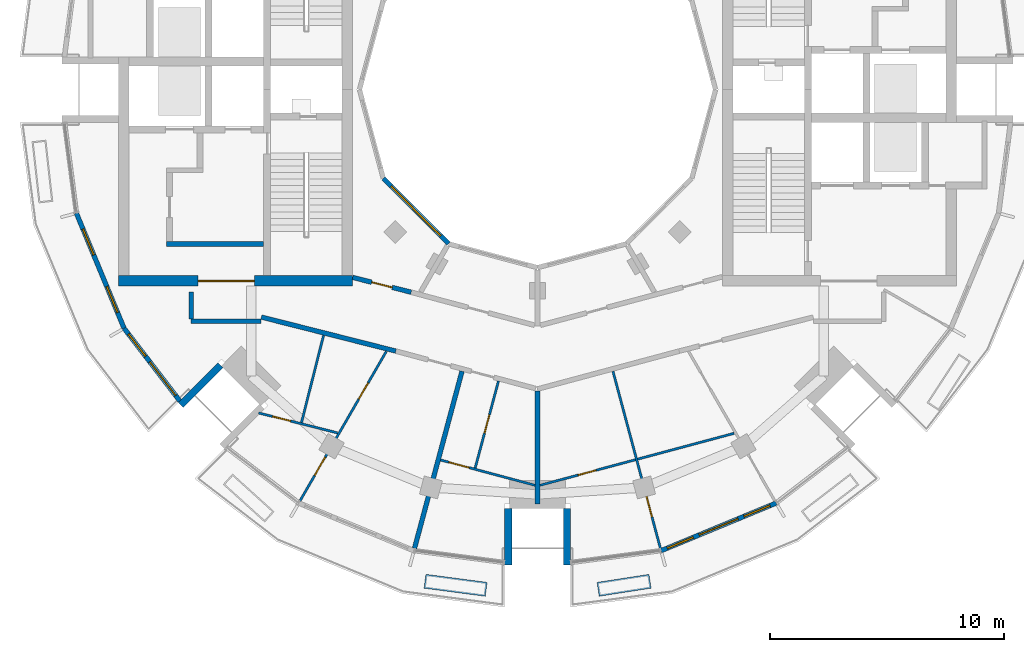
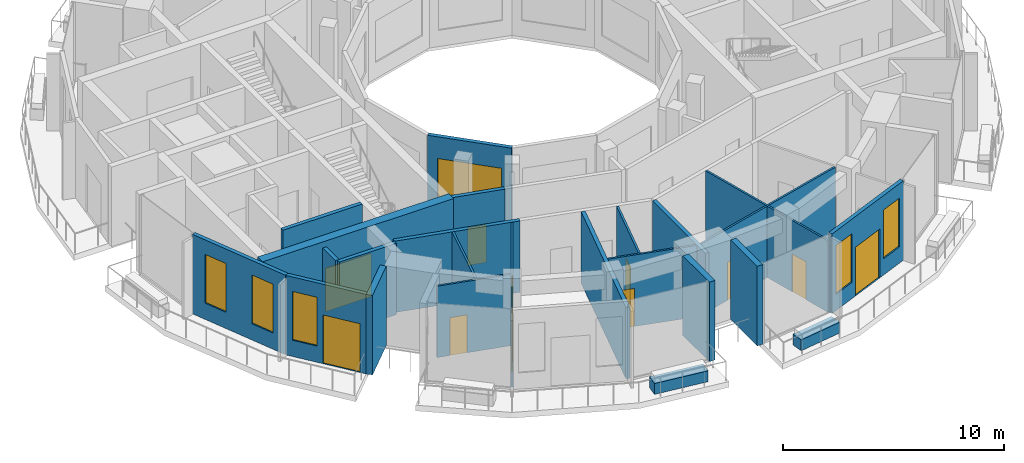
# One storey, part 7 of 15: 24 walls, 11 doors, 6 windows, 17 openings.
"""IFC4 building model written with IfcOpenShell, lengths in metres."""

from ifc_helpers import new_model, si_unit, direction, frame, frame_2d, origin, place, context, subcontext, project, spatial, rectangle, extrude, material, layer, layer_set, type_object, element, fill, save


model = new_model("IFC4")

# Units and contexts
model_context = context("Model", 3, precision=1e-05, world=origin(), true_north=direction((0.0, 1.0)))
body_context = subcontext(model_context, "Body", "Model", "MODEL_VIEW")
ifc_project = project(units=[si_unit("LENGTHUNIT", "METRE"), si_unit("AREAUNIT", "SQUARE_METRE"), si_unit("VOLUMEUNIT", "CUBIC_METRE"), si_unit("PLANEANGLEUNIT", "RADIAN"), si_unit("MASSUNIT", "GRAM", prefix="KILO")], contexts=[model_context])

# Site, building, storey
site_placement = place(None, origin())
site = spatial("IfcSite", under=ifc_project, at=site_placement, CompositionType="ELEMENT")
building_placement = place(site_placement, origin())
building = spatial("IfcBuilding", under=site, at=building_placement, Name="Torre Brocal", CompositionType="ELEMENT")
storey_placement = place(building_placement, frame((0.0, 0.0, 314.89990234375)))
storey = spatial("IfcBuildingStorey", under=building, at=storey_placement, Name="L72", CompositionType="ELEMENT", Elevation=314.89990234375)

# Wall
ifc_material_1 = material(Name="Concrete C50", Category="concrete")
ifc_layer_1 = layer(ifc_material_1, 0.199951171875)
ifc_layer_set_1 = layer_set([ifc_layer_1], Name="Concrete C50")
wall_type_1 = type_object("IfcWallType", Name="CORE WALL 200 C50", PredefinedType="SHEAR", material=ifc_layer_set_1)
wall_1_placement = place(storey_placement, frame((68.300048828125, 68.39990234375, 0.0), z_axis=(0.0, 0.0, 1.0), x_axis=(-1.0, 0.0, 0.0)))
element("IfcWall", 1, at=wall_1_placement, inside=storey, type_object=wall_type_1, Name="Wall CW200-50", PredefinedType="SHEAR", context=body_context, shape_type="SweptSolid", body=[
    extrude(rectangle(XDim=4.150146484375, YDim=0.199951171875, at=frame_2d((2.0751953125, 0.0))), origin(), (0.0, 0.0, 1.0), 4.080078125),
])

# Wall, opening, door
ifc_material_2 = material(Name="Concrete C50", Category="concrete")
ifc_layer_2 = layer(ifc_material_2, 0.449951171875)
ifc_layer_set_2 = layer_set([ifc_layer_2], Name="Concrete C50")
wall_type_2 = type_object("IfcWallType", Name="CORE WALL 450 C50", PredefinedType="SHEAR", material=ifc_layer_set_2)
wall_2_placement = place(storey_placement, frame((72.10009765625, 66.824951171875, 0.0), z_axis=(0.0, 0.0, 1.0), x_axis=(-1.0, 0.0, 0.0)))
wall_2 = element("IfcWall", 2, at=wall_2_placement, inside=storey, type_object=wall_type_2, Name="Wall CW450-50", PredefinedType="SHEAR", context=body_context, shape_type="SweptSolid", body=[
    extrude(rectangle(XDim=10.0, YDim=0.449951171875, at=frame_2d((5.0, 0.0))), origin(), (0.0, 0.0, 1.0), 4.080078125),
])
opening_1_placement = place(wall_2_placement, frame((4.199951171875, 0.0, 0.0)))
opening_1 = element("IfcOpeningElement", 3, at=opening_1_placement, cuts=wall_2, Name="Opening W-D23", PredefinedType="OPENING", context=body_context, shape_type="SweptSolid", body=[
    extrude(rectangle(XDim=2.39990234375, YDim=2.39990234375, at=frame_2d((1.199951171875, 1.199951171875))), frame((0.0, 0.23486328125, 0.0), z_axis=(0.0, -1.0, 0.0), x_axis=(1.0, 0.0, 0.0)), (0.0, 0.0, 1.0), 0.469970703125),
])
ifc_material_3 = material(Name="Steel A653", Category="steel")
door_type_1 = type_object("IfcDoorType", Name="DOUBLE FIRE DOOR FD90 2400X2400", OperationType="DOUBLE_DOOR_SINGLE_SWING", PredefinedType="DOOR", material=ifc_material_3)
door_1_placement = place(opening_1_placement, frame((2.39990234375, 0.0, 0.0), z_axis=(0.0, 0.0, 1.0), x_axis=(-1.0, 0.0, 0.0)))
door_1 = element("IfcDoor", 4, at=door_1_placement, inside=storey, type_object=door_type_1, Name="Door W-D23", OperationType="DOUBLE_DOOR_SINGLE_SWING", OverallHeight=2.39990234375, OverallWidth=2.39990234375, PredefinedType="DOOR", context=body_context, shape_type="SweptSolid", body=[
    extrude(rectangle(XDim=2.39990234375, YDim=2.39990234375, at=frame_2d((1.199951171875, 1.199951171875))), frame((0.0, 0.02490234375, 0.0), z_axis=(0.0, -1.0, 0.0), x_axis=(1.0, 0.0, 0.0)), (0.0, 0.0, 1.0), 0.050048828125),
])
fill(opening_1, door_1)

# Wall, openings, windows
ifc_material_4 = material(Name="Concrete C40", Category="concrete")
ifc_layer_3 = layer(ifc_material_4, 0.199951171875)
ifc_layer_set_3 = layer_set([ifc_layer_3], Name="Concrete C40")
wall_type_3 = type_object("IfcWallType", Name="EXTERNAL WALL 200", PredefinedType="NOTDEFINED", material=ifc_layer_set_3)
wall_3_placement = place(storey_placement, frame((60.2958984375, 69.72021484375, 0.0), z_axis=(0.0, 0.0, 1.0), x_axis=(0.382690574388, -0.923876574156, 0.0)))
wall_3 = element("IfcWall", 5, at=wall_3_placement, inside=storey, type_object=wall_type_3, Name="EXTERNAL WALL", PredefinedType="NOTDEFINED", context=body_context, shape_type="SweptSolid", body=[
    extrude(rectangle(XDim=5.324951171875, YDim=0.199951171875, at=frame_2d((2.66259765625, 0.0))), origin(), (0.0, 0.0, 1.0), 4.400146484375),
])
opening_2_placement = place(wall_3_placement, frame((0.731201171875, 0.0, 0.89990234375)))
opening_2 = element("IfcOpeningElement", 6, at=opening_2_placement, cuts=wall_3, Name="Opening W9", PredefinedType="OPENING", context=body_context, shape_type="SweptSolid", body=[
    extrude(rectangle(XDim=1.199951171875, YDim=2.699951171875, at=frame_2d((0.60009765625, 1.35009765625))), frame((0.0, 0.10986328125, 0.0), z_axis=(0.0, -1.0, 0.0), x_axis=(1.0, 0.0, 0.0)), (0.0, 0.0, 1.0), 0.219970703125),
])
opening_3_placement = place(wall_3_placement, frame((3.39404296875, 0.0, 0.89990234375)))
opening_3 = element("IfcOpeningElement", 7, at=opening_3_placement, cuts=wall_3, Name="Opening W9", PredefinedType="OPENING", context=body_context, shape_type="SweptSolid", body=[
    extrude(rectangle(XDim=1.199951171875, YDim=2.699951171875, at=frame_2d((0.60009765625, 1.35009765625))), frame((0.0, 0.10986328125, 0.0), z_axis=(0.0, -1.0, 0.0), x_axis=(1.0, 0.0, 0.0)), (0.0, 0.0, 1.0), 0.219970703125),
])
ifc_material_5 = material(Name="Aluminium and glass", Category="aluminium")
window_type_1 = type_object("IfcWindowType", Name="PENTHOUSE TERRACE WINDOW 1200X2700", PartitioningType="SINGLE_PANEL", PredefinedType="WINDOW", material=ifc_material_5)
window_1_placement = place(opening_2_placement, origin())
window_1 = element("IfcWindow", 8, at=window_1_placement, inside=storey, type_object=window_type_1, Name="PENTHOUSE TERRACE WINDOW 1200X2700", OverallHeight=2.699951171875, OverallWidth=1.199951171875, PartitioningType="SINGLE_PANEL", PredefinedType="WINDOW", context=body_context, shape_type="SweptSolid", body=[
    extrude(rectangle(XDim=1.199951171875, YDim=2.699951171875, at=frame_2d((0.60009765625, 1.35009765625))), frame((0.0, 0.030029296875, 0.0), z_axis=(0.0, -1.0, 0.0), x_axis=(1.0, 0.0, 0.0)), (0.0, 0.0, 1.0), 0.06005859375),
])
fill(opening_2, window_1)
window_2_placement = place(opening_3_placement, origin())
window_2 = element("IfcWindow", 9, at=window_2_placement, inside=storey, type_object=window_type_1, Name="PENTHOUSE TERRACE WINDOW 1200X2700", OverallHeight=2.699951171875, OverallWidth=1.199951171875, PartitioningType="SINGLE_PANEL", PredefinedType="WINDOW", context=body_context, shape_type="SweptSolid", body=[
    extrude(rectangle(XDim=1.199951171875, YDim=2.699951171875, at=frame_2d((0.60009765625, 1.35009765625))), frame((0.0, 0.030029296875, 0.0), z_axis=(0.0, -1.0, 0.0), x_axis=(1.0, 0.0, 0.0)), (0.0, 0.0, 1.0), 0.06005859375),
])
fill(opening_3, window_2)

# Wall, openings, door, window
wall_4_placement = place(storey_placement, frame((62.333740234375, 64.800537109375, 0.0), z_axis=(0.0, 0.0, 1.0), x_axis=(0.608757608177, -0.793356272104, 0.0)))
wall_4 = element("IfcWall", 10, at=wall_4_placement, inside=storey, type_object=wall_type_3, Name="EXTERNAL WALL", PredefinedType="NOTDEFINED", context=body_context, shape_type="SweptSolid", body=[
    extrude(rectangle(XDim=3.913330078125, YDim=0.199951171875, at=frame_2d((1.95654296875, 0.0))), origin(), (0.0, 0.0, 1.0), 4.400146484375),
])
opening_4_placement = place(wall_4_placement, frame((0.313232421875, 0.0, 0.89990234375)))
opening_4 = element("IfcOpeningElement", 11, at=opening_4_placement, cuts=wall_4, Name="Opening W9", PredefinedType="OPENING", context=body_context, shape_type="SweptSolid", body=[
    extrude(rectangle(XDim=1.199951171875, YDim=2.699951171875, at=frame_2d((0.60009765625, 1.35009765625))), frame((0.0, 0.10986328125, 0.0), z_axis=(0.0, -1.0, 0.0), x_axis=(1.0, 0.0, 0.0)), (0.0, 0.0, 1.0), 0.219970703125),
])
opening_5_placement = place(wall_4_placement, frame((1.813232421875, 0.0, 0.0)))
opening_5 = element("IfcOpeningElement", 12, at=opening_5_placement, cuts=wall_4, Name="Opening L72-E05", PredefinedType="OPENING", context=body_context, shape_type="SweptSolid", body=[
    extrude(rectangle(XDim=1.800048828125, YDim=2.699951171875, at=frame_2d((0.89990234375, 1.35009765625))), frame((0.0, 0.10986328125, 0.0), z_axis=(0.0, -1.0, 0.0), x_axis=(1.0, 0.0, 0.0)), (0.0, 0.0, 1.0), 0.219970703125),
])
ifc_material_6 = material(Name="Aluminium and glass", Category="aluminium")
door_type_2 = type_object("IfcDoorType", Name="PENTHOUSE TERRACE DOUBLE DOOR 1800X2700", OperationType="DOUBLE_DOOR_SINGLE_SWING", PredefinedType="DOOR", material=ifc_material_6)
door_2_placement = place(opening_5_placement, frame((1.800048828125, 0.0, 0.0), z_axis=(0.0, 0.0, 1.0), x_axis=(-1.0, 0.0, 0.0)))
door_2 = element("IfcDoor", 13, at=door_2_placement, inside=storey, type_object=door_type_2, Name="DOOR L72-E05", OperationType="DOUBLE_DOOR_SINGLE_SWING", OverallHeight=2.699951171875, OverallWidth=1.800048828125, PredefinedType="DOOR", context=body_context, shape_type="SweptSolid", body=[
    extrude(rectangle(XDim=1.800048828125, YDim=2.699951171875, at=frame_2d((0.89990234375, 1.35009765625))), frame((0.0, 0.02490234375, 0.0), z_axis=(0.0, -1.0, 0.0), x_axis=(1.0, 0.0, 0.0)), (0.0, 0.0, 1.0), 0.050048828125),
])
fill(opening_5, door_2)
window_3_placement = place(opening_4_placement, origin())
window_3 = element("IfcWindow", 14, at=window_3_placement, inside=storey, type_object=window_type_1, Name="PENTHOUSE TERRACE WINDOW 1200X2700", OverallHeight=2.699951171875, OverallWidth=1.199951171875, PartitioningType="SINGLE_PANEL", PredefinedType="WINDOW", context=body_context, shape_type="SweptSolid", body=[
    extrude(rectangle(XDim=1.199951171875, YDim=2.699951171875, at=frame_2d((0.60009765625, 1.35009765625))), frame((0.0, 0.030029296875, 0.0), z_axis=(0.0, -1.0, 0.0), x_axis=(1.0, 0.0, 0.0)), (0.0, 0.0, 1.0), 0.06005859375),
])
fill(opening_4, window_3)

# Wall, openings, door, windows
wall_5_placement = place(storey_placement, frame((85.27978515625, 55.2958984375, 0.0), z_axis=(0.0, 0.0, 1.0), x_axis=(0.923876574156, 0.382690574388, 0.0)))
wall_5 = element("IfcWall", 15, at=wall_5_placement, inside=storey, type_object=wall_type_3, Name="EXTERNAL WALL", PredefinedType="NOTDEFINED", context=body_context, shape_type="SweptSolid", body=[
    extrude(rectangle(XDim=5.324951171875, YDim=0.199951171875, at=frame_2d((2.66259765625, 0.0))), origin(), (0.0, 0.0, 1.0), 4.400146484375),
])
opening_6_placement = place(wall_5_placement, frame((0.28759765625, 0.0, 0.89990234375)))
opening_6 = element("IfcOpeningElement", 16, at=opening_6_placement, cuts=wall_5, Name="Opening W9", PredefinedType="OPENING", context=body_context, shape_type="SweptSolid", body=[
    extrude(rectangle(XDim=1.199951171875, YDim=2.699951171875, at=frame_2d((0.60009765625, 1.35009765625))), frame((0.0, 0.10986328125, 0.0), z_axis=(0.0, -1.0, 0.0), x_axis=(1.0, 0.0, 0.0)), (0.0, 0.0, 1.0), 0.219970703125),
])
opening_7_placement = place(wall_5_placement, frame((1.7626953125, 0.0, 0.0)))
opening_7 = element("IfcOpeningElement", 17, at=opening_7_placement, cuts=wall_5, Name="Opening L72-E07", PredefinedType="OPENING", context=body_context, shape_type="SweptSolid", body=[
    extrude(rectangle(XDim=1.800048828125, YDim=2.699951171875, at=frame_2d((0.89990234375, 1.35009765625))), frame((0.0, 0.10986328125, 0.0), z_axis=(0.0, -1.0, 0.0), x_axis=(1.0, 0.0, 0.0)), (0.0, 0.0, 1.0), 0.219970703125),
])
opening_8_placement = place(wall_5_placement, frame((3.837646484375, 0.0, 0.89990234375)))
opening_8 = element("IfcOpeningElement", 18, at=opening_8_placement, cuts=wall_5, Name="Opening W9", PredefinedType="OPENING", context=body_context, shape_type="SweptSolid", body=[
    extrude(rectangle(XDim=1.199951171875, YDim=2.699951171875, at=frame_2d((0.60009765625, 1.35009765625))), frame((0.0, 0.10986328125, 0.0), z_axis=(0.0, -1.0, 0.0), x_axis=(1.0, 0.0, 0.0)), (0.0, 0.0, 1.0), 0.219970703125),
])
door_3_placement = place(opening_7_placement, frame((1.800048828125, 0.0, 0.0), z_axis=(0.0, 0.0, 1.0), x_axis=(-1.0, 0.0, 0.0)))
door_3 = element("IfcDoor", 19, at=door_3_placement, inside=storey, type_object=door_type_2, Name="DOOR L72-E07", OperationType="DOUBLE_DOOR_SINGLE_SWING", OverallHeight=2.699951171875, OverallWidth=1.800048828125, PredefinedType="DOOR", context=body_context, shape_type="SweptSolid", body=[
    extrude(rectangle(XDim=1.800048828125, YDim=2.699951171875, at=frame_2d((0.89990234375, 1.35009765625))), frame((0.0, 0.02490234375, 0.0), z_axis=(0.0, -1.0, 0.0), x_axis=(1.0, 0.0, 0.0)), (0.0, 0.0, 1.0), 0.050048828125),
])
fill(opening_7, door_3)
window_4_placement = place(opening_6_placement, origin())
window_4 = element("IfcWindow", 20, at=window_4_placement, inside=storey, type_object=window_type_1, Name="PENTHOUSE TERRACE WINDOW 1200X2700", OverallHeight=2.699951171875, OverallWidth=1.199951171875, PartitioningType="SINGLE_PANEL", PredefinedType="WINDOW", context=body_context, shape_type="SweptSolid", body=[
    extrude(rectangle(XDim=1.199951171875, YDim=2.699951171875, at=frame_2d((0.60009765625, 1.35009765625))), frame((0.0, 0.030029296875, 0.0), z_axis=(0.0, -1.0, 0.0), x_axis=(1.0, 0.0, 0.0)), (0.0, 0.0, 1.0), 0.06005859375),
])
fill(opening_6, window_4)
window_5_placement = place(opening_8_placement, origin())
window_5 = element("IfcWindow", 21, at=window_5_placement, inside=storey, type_object=window_type_1, Name="PENTHOUSE TERRACE WINDOW 1200X2700", OverallHeight=2.699951171875, OverallWidth=1.199951171875, PartitioningType="SINGLE_PANEL", PredefinedType="WINDOW", context=body_context, shape_type="SweptSolid", body=[
    extrude(rectangle(XDim=1.199951171875, YDim=2.699951171875, at=frame_2d((0.60009765625, 1.35009765625))), frame((0.0, 0.030029296875, 0.0), z_axis=(0.0, -1.0, 0.0), x_axis=(1.0, 0.0, 0.0)), (0.0, 0.0, 1.0), 0.06005859375),
])
fill(opening_8, window_5)

# Walls
ifc_material_7 = material(Name="Concrete C50", Category="concrete")
ifc_layer_4 = layer(ifc_material_7, 0.300048828125)
ifc_layer_set_4 = layer_set([ifc_layer_4], Name="Concrete C50")
wall_type_4 = type_object("IfcWallType", Name="NOTCH RETURN WALL 300 C50", PredefinedType="NOTDEFINED", material=ifc_layer_set_4)
for number, where, z_axis, x_axis, name in (
    (22, (66.458984375, 63.2265625, 0.0), (0.0, 0.0, 1.0), (-0.707157312274, -0.707056246487, 0.0), "NOTCH RETURN WALL"),
    (23, (78.75, 57.10009765625, 0.0), (0.0, 0.0, 1.0), (0.0, -1.0, 0.0), "NOTCH RETURN WALL"),
    (24, (81.25, 57.10009765625, 0.0), (0.0, 0.0, 1.0), (0.0, -1.0, 0.0), "NOTCH RETURN WALL"),
):
    element("IfcWall", number, at=place(storey_placement, frame(where, z_axis=z_axis, x_axis=x_axis)), inside=storey, type_object=wall_type_4, Name=name, PredefinedType="NOTDEFINED", context=body_context, shape_type="SweptSolid", body=[
        extrude(rectangle(XDim=2.415771484375, YDim=0.300048828125, at=frame_2d((1.2080078125, 0.0))), origin(), (0.0, 0.0, 1.0), 4.400146484375),
    ])

# Wall, opening, door
ifc_material_8 = material(Name="Gypsum board", Category="Gypsum")
ifc_layer_5 = layer(ifc_material_8, 0.10009765625)
ifc_layer_set_5 = layer_set([ifc_layer_5], Name="Gypsum board")
wall_type_5 = type_object("IfcWallType", Name="PARTITION 100", PredefinedType="PARTITIONING", material=ifc_layer_set_5)
wall_6_placement = place(storey_placement, frame((68.083251953125, 61.18359375, 0.0), z_axis=(0.0, 0.0, 1.0), x_axis=(0.969415105271, -0.245426880503, 0.0)))
wall_6 = element("IfcWall", 25, at=wall_6_placement, inside=storey, type_object=wall_type_5, Name="BATHROOM WALL", PredefinedType="PARTITIONING", context=body_context, shape_type="SweptSolid", body=[
    extrude(rectangle(XDim=3.4755859375, YDim=0.10009765625, at=frame_2d((1.73779296875, 0.0))), origin(), (0.0, 0.0, 1.0), 3.9501953125),
])
opening_9_placement = place(wall_6_placement, frame((0.610107421875, 0.0, 0.0)))
opening_9 = element("IfcOpeningElement", 26, at=opening_9_placement, cuts=wall_6, Name="Opening N05-D29", PredefinedType="OPENING", context=body_context, shape_type="SweptSolid", body=[
    extrude(rectangle(XDim=0.800048828125, YDim=2.10009765625, at=frame_2d((0.39990234375, 1.050048828125))), frame((0.0, 0.06005859375, 0.0), z_axis=(0.0, -1.0, 0.0), x_axis=(1.0, 0.0, 0.0)), (0.0, 0.0, 1.0), 0.1201171875),
])
ifc_material_9 = material(Name="Timber", Category="wood")
door_type_3 = type_object("IfcDoorType", Name="BATHROOM DOOR 800X2100", OperationType="SINGLE_SWING_LEFT", PredefinedType="DOOR", material=ifc_material_9)
door_4_placement = place(opening_9_placement, frame((0.800048828125, 0.0, 0.0), z_axis=(0.0, 0.0, 1.0), x_axis=(-1.0, 0.0, 0.0)))
door_4 = element("IfcDoor", 27, at=door_4_placement, inside=storey, type_object=door_type_3, Name="N05-D29", OperationType="SINGLE_SWING_RIGHT", OverallHeight=2.10009765625, OverallWidth=0.800048828125, PredefinedType="DOOR", context=body_context, shape_type="SweptSolid", body=[
    extrude(rectangle(XDim=0.800048828125, YDim=2.10009765625, at=frame_2d((0.39990234375, 1.050048828125))), frame((0.0, 0.02490234375, 0.0), z_axis=(0.0, -1.0, 0.0), x_axis=(1.0, 0.0, 0.0)), (0.0, 0.0, 1.0), 0.050048828125),
])
fill(opening_9, door_4)

# Wall, openings, doors
wall_7_placement = place(storey_placement, frame((69.849365234375, 57.424072265625, 0.0), z_axis=(0.0, 0.0, 1.0), x_axis=(0.500112137663, 0.865960651394, 0.0)))
wall_7 = element("IfcWall", 28, at=wall_7_placement, inside=storey, type_object=wall_type_5, Name="BATHROOM WALL", PredefinedType="PARTITIONING", context=body_context, shape_type="SweptSolid", body=[
    extrude(rectangle(XDim=7.375244140625, YDim=0.10009765625, at=frame_2d((3.6875, 0.0))), origin(), (0.0, 0.0, 1.0), 3.9501953125),
])
opening_10_placement = place(wall_7_placement, frame((1.253662109375, 0.0, 0.0)))
opening_10 = element("IfcOpeningElement", 29, at=opening_10_placement, cuts=wall_7, Name="Opening N05-D28", PredefinedType="OPENING", context=body_context, shape_type="SweptSolid", body=[
    extrude(rectangle(XDim=0.89990234375, YDim=2.10009765625, at=frame_2d((0.449951171875, 1.050048828125))), frame((0.0, 0.06005859375, 0.0), z_axis=(0.0, -1.0, 0.0), x_axis=(1.0, 0.0, 0.0)), (0.0, 0.0, 1.0), 0.1201171875),
])
opening_11_placement = place(wall_7_placement, frame((5.02734375, 0.0, 0.0)))
opening_11 = element("IfcOpeningElement", 30, at=opening_11_placement, cuts=wall_7, Name="Opening N05-D30", PredefinedType="OPENING", context=body_context, shape_type="SweptSolid", body=[
    extrude(rectangle(XDim=0.800048828125, YDim=2.10009765625, at=frame_2d((0.39990234375, 1.050048828125))), frame((0.0, 0.06005859375, 0.0), z_axis=(0.0, -1.0, 0.0), x_axis=(1.0, 0.0, 0.0)), (0.0, 0.0, 1.0), 0.1201171875),
])
door_5_placement = place(opening_11_placement, origin())
door_5 = element("IfcDoor", 31, at=door_5_placement, inside=storey, type_object=door_type_3, Name="N05-D30", OperationType="SINGLE_SWING_RIGHT", OverallHeight=2.10009765625, OverallWidth=0.800048828125, PredefinedType="DOOR", context=body_context, shape_type="SweptSolid", body=[
    extrude(rectangle(XDim=0.800048828125, YDim=2.10009765625, at=frame_2d((0.39990234375, 1.050048828125))), frame((0.0, 0.02490234375, 0.0), z_axis=(0.0, -1.0, 0.0), x_axis=(1.0, 0.0, 0.0)), (0.0, 0.0, 1.0), 0.050048828125),
])
fill(opening_11, door_5)
ifc_material_10 = material(Name="Timber", Category="wood")
door_type_4 = type_object("IfcDoorType", Name="ROOM DOOR 900X2100", OperationType="SINGLE_SWING_LEFT", PredefinedType="DOOR", material=ifc_material_10)
door_6_placement = place(opening_10_placement, origin())
door_6 = element("IfcDoor", 32, at=door_6_placement, inside=storey, type_object=door_type_4, Name="N05-D28", OperationType="SINGLE_SWING_RIGHT", OverallHeight=2.10009765625, OverallWidth=0.89990234375, PredefinedType="DOOR", context=body_context, shape_type="SweptSolid", body=[
    extrude(rectangle(XDim=0.89990234375, YDim=2.10009765625, at=frame_2d((0.449951171875, 1.050048828125))), frame((0.0, 0.02490234375, 0.0), z_axis=(0.0, -1.0, 0.0), x_axis=(1.0, 0.0, 0.0)), (0.0, 0.0, 1.0), 0.050048828125),
])
fill(opening_10, door_6)

# Wall
wall_8_placement = place(storey_placement, frame((69.914306640625, 60.77197265625, 0.0), z_axis=(0.0, 0.0, 1.0), x_axis=(0.245489008107, 0.969399374303, 0.0)))
element("IfcWall", 33, at=wall_8_placement, inside=storey, type_object=wall_type_5, Name="BATHROOM WALL", PredefinedType="PARTITIONING", context=body_context, shape_type="SweptSolid", body=[
    extrude(rectangle(XDim=3.849853515625, YDim=0.10009765625, at=frame_2d((1.9248046875, 0.0))), origin(), (0.0, 0.0, 1.0), 3.9501953125),
])

# Wall, opening, door
wall_9_placement = place(storey_placement, frame((75.861572265625, 59.171142578125, 0.0), z_axis=(0.0, 0.0, 1.0), x_axis=(0.965961623338, -0.258685411723, 0.0)))
wall_9 = element("IfcWall", 34, at=wall_9_placement, inside=storey, type_object=wall_type_5, Name="BATHROOM WALL", PredefinedType="PARTITIONING", context=body_context, shape_type="SweptSolid", body=[
    extrude(rectangle(XDim=4.17431640625, YDim=0.10009765625, at=frame_2d((2.087158203125, 0.0))), origin(), (0.0, 0.0, 1.0), 3.9501953125),
])
opening_12_placement = place(wall_9_placement, frame((0.36279296875, 0.0, 0.0)))
opening_12 = element("IfcOpeningElement", 35, at=opening_12_placement, cuts=wall_9, Name="Opening N05-D24", PredefinedType="OPENING", context=body_context, shape_type="SweptSolid", body=[
    extrude(rectangle(XDim=0.89990234375, YDim=2.10009765625, at=frame_2d((0.449951171875, 1.050048828125))), frame((0.0, 0.06005859375, 0.0), z_axis=(0.0, -1.0, 0.0), x_axis=(1.0, 0.0, 0.0)), (0.0, 0.0, 1.0), 0.1201171875),
])
door_7_placement = place(opening_12_placement, origin())
door_7 = element("IfcDoor", 36, at=door_7_placement, inside=storey, type_object=door_type_4, Name="N05-D24", OperationType="SINGLE_SWING_RIGHT", OverallHeight=2.10009765625, OverallWidth=0.89990234375, PredefinedType="DOOR", context=body_context, shape_type="SweptSolid", body=[
    extrude(rectangle(XDim=0.89990234375, YDim=2.10009765625, at=frame_2d((0.449951171875, 1.050048828125))), frame((0.0, 0.02490234375, 0.0), z_axis=(0.0, -1.0, 0.0), x_axis=(1.0, 0.0, 0.0)), (0.0, 0.0, 1.0), 0.050048828125),
])
fill(opening_12, door_7)

wall_10_placement = place(storey_placement, frame((77.3359375, 58.828369140625, 0.0), z_axis=(0.0, 0.0, 1.0), x_axis=(0.25872023695, 0.965952296437, 0.0)))
wall_10 = element("IfcWall", 37, at=wall_10_placement, inside=storey, type_object=wall_type_5, Name="BATHROOM WALL", PredefinedType="PARTITIONING", context=body_context, shape_type="SweptSolid", body=[
    extrude(rectangle(XDim=3.85009765625, YDim=0.10009765625, at=frame_2d((1.925048828125, 0.0))), origin(), (0.0, 0.0, 1.0), 3.9501953125),
])
opening_13_placement = place(wall_10_placement, frame((1.550048828125, 0.0, 0.0)))
opening_13 = element("IfcOpeningElement", 38, at=opening_13_placement, cuts=wall_10, Name="Opening N05-D26", PredefinedType="OPENING", context=body_context, shape_type="SweptSolid", body=[
    extrude(rectangle(XDim=0.800048828125, YDim=2.10009765625, at=frame_2d((0.39990234375, 1.050048828125))), frame((0.0, 0.06005859375, 0.0), z_axis=(0.0, -1.0, 0.0), x_axis=(1.0, 0.0, 0.0)), (0.0, 0.0, 1.0), 0.1201171875),
])
door_8_placement = place(opening_13_placement, frame((0.800048828125, 0.0, 0.0), z_axis=(0.0, 0.0, 1.0), x_axis=(-1.0, 0.0, 0.0)))
door_8 = element("IfcDoor", 39, at=door_8_placement, inside=storey, type_object=door_type_3, Name="N05-D26", OperationType="SINGLE_SWING_LEFT", OverallHeight=2.10009765625, OverallWidth=0.800048828125, PredefinedType="DOOR", context=body_context, shape_type="SweptSolid", body=[
    extrude(rectangle(XDim=0.800048828125, YDim=2.10009765625, at=frame_2d((0.39990234375, 1.050048828125))), frame((0.0, 0.02490234375, 0.0), z_axis=(0.0, -1.0, 0.0), x_axis=(1.0, 0.0, 0.0)), (0.0, 0.0, 1.0), 0.050048828125),
])
fill(opening_13, door_8)

wall_11_placement = place(storey_placement, frame((80.106201171875, 58.091552734375, 0.0), z_axis=(0.0, 0.0, 1.0), x_axis=(0.965971139599, 0.258649874274, 0.0)))
wall_11 = element("IfcWall", 40, at=wall_11_placement, inside=storey, type_object=wall_type_5, Name="BATHROOM WALL", PredefinedType="PARTITIONING", context=body_context, shape_type="SweptSolid", body=[
    extrude(rectangle(XDim=8.587646484375, YDim=0.10009765625, at=frame_2d((4.2939453125, 0.0))), origin(), (0.0, 0.0, 1.0), 3.9501953125),
])
opening_14_placement = place(wall_11_placement, frame((1.68212890625, 0.0, 0.0)))
opening_14 = element("IfcOpeningElement", 41, at=opening_14_placement, cuts=wall_11, Name="Opening N05-D22", PredefinedType="OPENING", context=body_context, shape_type="SweptSolid", body=[
    extrude(rectangle(XDim=0.800048828125, YDim=2.10009765625, at=frame_2d((0.39990234375, 1.050048828125))), frame((0.0, 0.06005859375, 0.0), z_axis=(0.0, -1.0, 0.0), x_axis=(1.0, 0.0, 0.0)), (0.0, 0.0, 1.0), 0.1201171875),
])
door_9_placement = place(opening_14_placement, origin())
door_9 = element("IfcDoor", 42, at=door_9_placement, inside=storey, type_object=door_type_3, Name="N05-D22", OperationType="SINGLE_SWING_LEFT", OverallHeight=2.10009765625, OverallWidth=0.800048828125, PredefinedType="DOOR", context=body_context, shape_type="SweptSolid", body=[
    extrude(rectangle(XDim=0.800048828125, YDim=2.10009765625, at=frame_2d((0.39990234375, 1.050048828125))), frame((0.0, 0.02490234375, 0.0), z_axis=(0.0, -1.0, 0.0), x_axis=(1.0, 0.0, 0.0)), (0.0, 0.0, 1.0), 0.050048828125),
])
fill(opening_14, door_9)

wall_12_placement = place(storey_placement, frame((83.224365234375, 62.96435546875, 0.0), z_axis=(0.0, 0.0, 1.0), x_axis=(0.258779160476, -0.96593651246, 0.0)))
wall_12 = element("IfcWall", 43, at=wall_12_placement, inside=storey, type_object=wall_type_5, Name="BATHROOM WALL", PredefinedType="PARTITIONING", context=body_context, shape_type="SweptSolid", body=[
    extrude(rectangle(XDim=7.838134765625, YDim=0.10009765625, at=frame_2d((3.9189453125, 0.0))), origin(), (0.0, 0.0, 1.0), 3.9501953125),
])
opening_15_placement = place(wall_12_placement, frame((5.544189453125, 0.0, 0.0)))
opening_15 = element("IfcOpeningElement", 44, at=opening_15_placement, cuts=wall_12, Name="Opening N05-D21", PredefinedType="OPENING", context=body_context, shape_type="SweptSolid", body=[
    extrude(rectangle(XDim=0.89990234375, YDim=2.10009765625, at=frame_2d((0.449951171875, 1.050048828125))), frame((0.0, 0.06005859375, 0.0), z_axis=(0.0, -1.0, 0.0), x_axis=(1.0, 0.0, 0.0)), (0.0, 0.0, 1.0), 0.1201171875),
])
door_10_placement = place(opening_15_placement, frame((0.89990234375, 0.0, 0.0), z_axis=(0.0, 0.0, 1.0), x_axis=(-1.0, 0.0, 0.0)))
door_10 = element("IfcDoor", 45, at=door_10_placement, inside=storey, type_object=door_type_4, Name="N05-D21", OperationType="SINGLE_SWING_LEFT", OverallHeight=2.10009765625, OverallWidth=0.89990234375, PredefinedType="DOOR", context=body_context, shape_type="SweptSolid", body=[
    extrude(rectangle(XDim=0.89990234375, YDim=2.10009765625, at=frame_2d((0.449951171875, 1.050048828125))), frame((0.0, 0.02490234375, 0.0), z_axis=(0.0, -1.0, 0.0), x_axis=(1.0, 0.0, 0.0)), (0.0, 0.0, 1.0), 0.050048828125),
])
fill(opening_15, door_10)

# Walls
ifc_material_11 = material(Name="Gypsum board", Category="Gypsum")
ifc_layer_6 = layer(ifc_material_11, 0.199951171875)
ifc_layer_set_6 = layer_set([ifc_layer_6], Name="Gypsum board")
wall_type_6 = type_object("IfcWallType", Name="PARTITION 200 EI60", PredefinedType="PARTITIONING", material=ifc_layer_set_6)
wall_13_placement = place(storey_placement, frame((65.199951171875, 65.199951171875, 0.0), z_axis=(0.0, 0.0, 1.0), x_axis=(0.0, 1.0, 0.0)))
element("IfcWall", 46, at=wall_13_placement, inside=storey, type_object=wall_type_6, Name="CORRIDOR WALL", PredefinedType="PARTITIONING", context=body_context, shape_type="SweptSolid", body=[
    extrude(rectangle(XDim=1.149169921875, YDim=0.199951171875, at=frame_2d((0.57470703125, 0.0))), origin(), (0.0, 0.0, 1.0), 3.9501953125),
])
wall_14_placement = place(storey_placement, frame((65.199951171875, 65.10009765625, 0.0), z_axis=(0.0, 0.0, 1.0), x_axis=(1.0, 0.0, 0.0)))
element("IfcWall", 47, at=wall_14_placement, inside=storey, type_object=wall_type_6, Name="CORRIDOR WALL", PredefinedType="PARTITIONING", context=body_context, shape_type="SweptSolid", body=[
    extrude(rectangle(XDim=2.97998046875, YDim=0.199951171875, at=frame_2d((1.489990234375, 0.0))), origin(), (0.0, 0.0, 1.0), 3.9501953125),
])
wall_15_placement = place(storey_placement, frame((68.200927734375, 65.280029296875, 0.0), z_axis=(0.0, 0.0, 1.0), x_axis=(0.969421088032, -0.245403247897, 0.0)))
element("IfcWall", 48, at=wall_15_placement, inside=storey, type_object=wall_type_6, Name="FLAT ENTRANCE WALL", PredefinedType="PARTITIONING", context=body_context, shape_type="SweptSolid", body=[
    extrude(rectangle(XDim=5.92724609375, YDim=0.199951171875, at=frame_2d((2.963623046875, 0.0))), origin(), (0.0, 0.0, 1.0), 3.9501953125),
])

# Wall, opening, door
wall_16_placement = place(storey_placement, frame((72.10009765625, 66.97509765625, 0.0), z_axis=(0.0, 0.0, 1.0), x_axis=(0.969471314457, -0.245204752086, 0.0)))
wall_16 = element("IfcWall", 49, at=wall_16_placement, inside=storey, type_object=wall_type_6, Name="CORRIDOR WALL", PredefinedType="PARTITIONING", context=body_context, shape_type="SweptSolid", body=[
    extrude(rectangle(XDim=2.581787109375, YDim=0.199951171875, at=frame_2d((1.291015625, 0.0))), origin(), (0.0, 0.0, 1.0), 3.9501953125),
])
opening_16_placement = place(wall_16_placement, frame((0.8408203125, 0.0, 0.0)))
opening_16 = element("IfcOpeningElement", 50, at=opening_16_placement, cuts=wall_16, Name="Opening N05-D34", PredefinedType="OPENING", context=body_context, shape_type="SweptSolid", body=[
    extrude(rectangle(XDim=0.89990234375, YDim=2.10009765625, at=frame_2d((0.449951171875, 1.050048828125))), frame((0.0, 0.10986328125, 0.0), z_axis=(0.0, -1.0, 0.0), x_axis=(1.0, 0.0, 0.0)), (0.0, 0.0, 1.0), 0.219970703125),
])
door_11_placement = place(opening_16_placement, origin())
door_11 = element("IfcDoor", 51, at=door_11_placement, inside=storey, type_object=door_type_4, Name="N05-D34", OperationType="SINGLE_SWING_LEFT", OverallHeight=2.10009765625, OverallWidth=0.89990234375, PredefinedType="DOOR", context=body_context, shape_type="SweptSolid", body=[
    extrude(rectangle(XDim=0.89990234375, YDim=2.10009765625, at=frame_2d((0.449951171875, 1.050048828125))), frame((0.0, 0.02490234375, 0.0), z_axis=(0.0, -1.0, 0.0), x_axis=(1.0, 0.0, 0.0)), (0.0, 0.0, 1.0), 0.050048828125),
])
fill(opening_16, door_11)

# Walls
wall_17_placement = place(storey_placement, frame((74.743408203125, 55.394287109375, 0.0), z_axis=(0.0, 0.0, 1.0), x_axis=(0.258969103378, 0.965885605802, 0.0)))
element("IfcWall", 52, at=wall_17_placement, inside=storey, type_object=wall_type_6, Name="PARTY PARTITION", PredefinedType="PARTITIONING", context=body_context, shape_type="SweptSolid", body=[
    extrude(rectangle(XDim=7.837890625, YDim=0.199951171875, at=frame_2d((3.9189453125, 0.0))), origin(), (0.0, 0.0, 1.0), 3.9501953125),
])
wall_18_placement = place(storey_placement, frame((80.0, 57.300048828125, 0.0), z_axis=(0.0, 0.0, 1.0), x_axis=(0.0, 1.0, 0.0)))
element("IfcWall", 53, at=wall_18_placement, inside=storey, type_object=wall_type_6, Name="BATHROOM WALL", PredefinedType="PARTITIONING", context=body_context, shape_type="SweptSolid", body=[
    extrude(rectangle(XDim=4.81396484375, YDim=0.199951171875, at=frame_2d((2.406982421875, 0.0))), origin(), (0.0, 0.0, 1.0), 3.9501953125),
])
ifc_material_12 = material(Name="Concrete C35", Category="concrete")
ifc_layer_7 = layer(ifc_material_12, 0.60009765625)
ifc_layer_set_7 = layer_set([ifc_layer_7], Name="Concrete C35")
wall_type_7 = type_object("IfcWallType", Name="PLANTER WALL 600 THICK 600 HIGH 12", PredefinedType="USERDEFINED", material=ifc_layer_set_7)
wall_19_placement = place(storey_placement, frame((75.191650390625, 53.990478515625, 0.0), z_axis=(0.0, 0.0, 1.0), x_axis=(0.991436014481, -0.130593373453, 0.0)))
element("IfcWall", 54, at=wall_19_placement, inside=storey, type_object=wall_type_7, Name="PLANTER", ObjectType="PLANTER", PredefinedType="USERDEFINED", context=body_context, shape_type="SweptSolid", body=[
    extrude(rectangle(XDim=2.637939453125, YDim=0.60009765625, at=frame_2d((1.31884765625, 0.0))), origin(), (0.0, 0.0, 1.0), 0.60009765625),
])
wall_20_placement = place(storey_placement, frame((82.58984375, 53.64599609375, 0.0), z_axis=(0.0, 0.0, 1.0), x_axis=(0.988158273159, 0.153438023927, 0.0)))
element("IfcWall", 55, at=wall_20_placement, inside=storey, type_object=wall_type_7, Name="PLANTER", ObjectType="PLANTER", PredefinedType="USERDEFINED", context=body_context, shape_type="SweptSolid", body=[
    extrude(rectangle(XDim=2.2451171875, YDim=0.60009765625, at=frame_2d((1.12255859375, 0.0))), origin(), (0.0, 0.0, 1.0), 0.60009765625),
])

# Wall, opening, window
ifc_material_13 = material(Name="Concrete C40", Category="concrete")
ifc_layer_8 = layer(ifc_material_13, 0.199951171875)
ifc_layer_set_8 = layer_set([ifc_layer_8], Name="Concrete C40")
wall_type_8 = type_object("IfcWallType", Name="WELL FACADE WALL 200", PredefinedType="NOTDEFINED", material=ifc_layer_set_8)
wall_21_placement = place(storey_placement, frame((73.4150390625, 71.1982421875, 0.0), z_axis=(0.0, 0.0, 1.0), x_axis=(0.707106781187, -0.707106781187, 0.0)))
wall_21 = element("IfcWall", 56, at=wall_21_placement, inside=storey, type_object=wall_type_8, Name="WELL FACADE WALL", PredefinedType="NOTDEFINED", context=body_context, shape_type="SweptSolid", body=[
    extrude(rectangle(XDim=3.93603515625, YDim=0.199951171875, at=frame_2d((1.968017578125, 0.0))), origin(), (0.0, 0.0, 1.0), 4.400146484375),
])
opening_17_placement = place(wall_21_placement, frame((0.468017578125, 0.0, 0.89990234375)))
opening_17 = element("IfcOpeningElement", 57, at=opening_17_placement, cuts=wall_21, Name="Opening W1", PredefinedType="OPENING", context=body_context, shape_type="SweptSolid", body=[
    extrude(rectangle(XDim=3.0, YDim=2.300048828125, at=frame_2d((1.5, 1.14990234375))), frame((0.0, 0.10986328125, 0.0), z_axis=(0.0, -1.0, 0.0), x_axis=(1.0, 0.0, 0.0)), (0.0, 0.0, 1.0), 0.219970703125),
])
ifc_material_14 = material(Name="Aluminium and glass", Category="aluminium")
window_type_2 = type_object("IfcWindowType", Name="WELL WINDOW 3000X2300", PartitioningType="SINGLE_PANEL", PredefinedType="WINDOW", material=ifc_material_14)
window_6_placement = place(opening_17_placement, origin())
window_6 = element("IfcWindow", 58, at=window_6_placement, inside=storey, type_object=window_type_2, Name="WELL WINDOW 3000X2300", OverallHeight=2.300048828125, OverallWidth=3.0, PartitioningType="SINGLE_PANEL", PredefinedType="WINDOW", context=body_context, shape_type="SweptSolid", body=[
    extrude(rectangle(XDim=3.0, YDim=2.300048828125, at=frame_2d((1.5, 1.14990234375))), frame((0.0, 0.030029296875, 0.0), z_axis=(0.0, -1.0, 0.0), x_axis=(1.0, 0.0, 0.0)), (0.0, 0.0, 1.0), 0.06005859375),
])
fill(opening_17, window_6)

save(model, "model.ifc")
